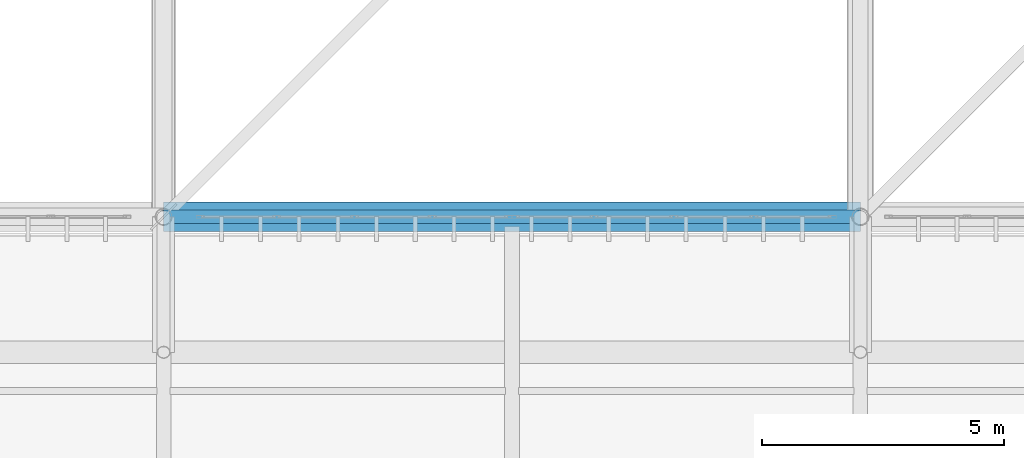
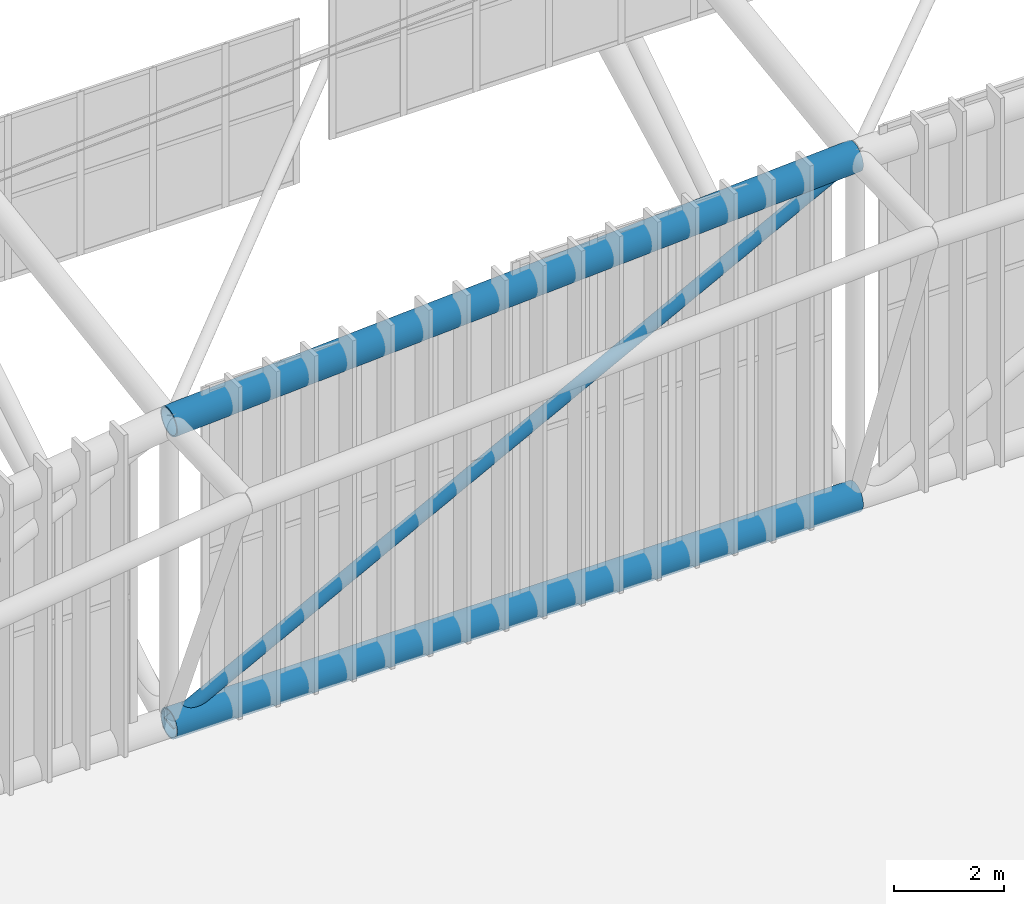
# One storey, part 25 of 397: 2 beams, 1 member.
"""IFC4 building model written with IfcOpenShell, lengths in metres."""

from ifc_helpers import new_model, si_unit, direction, frame, origin, origin_2d, place, context, subcontext, project, spatial, hollow_circle, extrude, material, material_profile, profile_set, type_object, element, save


model = new_model("IFC4")

# Units and contexts
model_context = context("Model", 3, precision=1e-05, world=origin(), true_north=direction((0.0, 1.0)))
body_context = subcontext(model_context, "Body", "Model", "MODEL_VIEW")
ifc_project = project(units=[si_unit("LENGTHUNIT", "METRE"), si_unit("AREAUNIT", "SQUARE_METRE"), si_unit("VOLUMEUNIT", "CUBIC_METRE"), si_unit("PLANEANGLEUNIT", "RADIAN"), si_unit("MASSUNIT", "GRAM", prefix="KILO")], contexts=[model_context])

# Site, building, storey
site_placement = place(None, origin())
site = spatial("IfcSite", under=ifc_project, at=site_placement, CompositionType="ELEMENT")
building_placement = place(site_placement, origin())
building = spatial("IfcBuilding", under=site, at=building_placement, Name="Qandorah Velis Arena", CompositionType="ELEMENT")
storey_placement = place(building_placement, frame((0.0, 0.0, 27.5)))
storey = spatial("IfcBuildingStorey", under=building, at=storey_placement, Name="RF", CompositionType="ELEMENT", Elevation=27.5)

# Beams
ifc_material_1 = material(Name="Steel S460", Category="steel")
ifc_material_profile_1 = material_profile(ifc_material_1, hollow_circle(Radius=0.304931640625, WallThickness=0.02490234375, at=origin_2d()), Name="CHS 610x25")
ifc_profile_set_1 = profile_set([ifc_material_profile_1], Name="Steel S460")
beam_type_1 = type_object("IfcBeamType", Name="STR-SFC-CHS610X25", PredefinedType="USERDEFINED", material=ifc_profile_set_1)
beam_1_placement = place(storey_placement, frame((43.199951171875, 14.39990234375, 0.10009765625), z_axis=(1.0, 0.0, 0.0), x_axis=(0.0, 1.0, 0.0)))
element("IfcBeam", 1, at=beam_1_placement, inside=storey, type_object=beam_type_1, Name="Space frame roof truss bottom chord X 2.0", ObjectType="ROOF TRUSS", PredefinedType="USERDEFINED", context=body_context, shape_type="SweptSolid", body=[
    extrude(hollow_circle(Radius=0.304931640625, WallThickness=0.02490234375, at=origin_2d()), origin(), (0.0, 0.0, 1.0), 14.400146484375),
])
ifc_material_profile_2 = material_profile(ifc_material_1, hollow_circle(Radius=0.304931640625, WallThickness=0.031982421875, at=origin_2d()), Name="CHS 610x32")
ifc_profile_set_2 = profile_set([ifc_material_profile_2], Name="Steel S460")
beam_type_2 = type_object("IfcBeamType", Name="STR-SFC-CHS610X32", PredefinedType="USERDEFINED", material=ifc_profile_set_2)
beam_2_placement = place(storey_placement, frame((43.199951171875, 14.39990234375, 6.79931640625), z_axis=(0.998236054486, 0.0, 0.059369853672), x_axis=(0.0, 1.0, 0.0)))
element("IfcBeam", 2, at=beam_2_placement, inside=storey, type_object=beam_type_2, Name="Space frame roof truss top chord X 2.0", ObjectType="ROOF TRUSS", PredefinedType="USERDEFINED", context=body_context, shape_type="SweptSolid", body=[
    extrude(hollow_circle(Radius=0.304931640625, WallThickness=0.031982421875, at=origin_2d()), origin(), (0.0, 0.0, 1.0), 14.425537109375),
])

# Member
ifc_material_2 = material(Name="Steel S355", Category="steel")
ifc_material_profile_3 = material_profile(ifc_material_2, hollow_circle(Radius=0.136474609375, WallThickness=0.012451171875, at=origin_2d()), Name="CHS 273x12.5")
ifc_profile_set_3 = profile_set([ifc_material_profile_3], Name="Steel S355")
member_type = type_object("IfcMemberType", Name="STR-SFD-CHS273X12", PredefinedType="STRUT", material=ifc_profile_set_3)
member_placement = place(storey_placement, frame((43.199951171875, 14.39990234375, 0.10009765625), z_axis=(0.885509558717, 0.0, 0.464621159032), x_axis=(0.0, 1.0, 0.0)))
element("IfcMember", 3, at=member_placement, inside=storey, type_object=member_type, Name="Space frame roof diagonal X 2.0", PredefinedType="STRUT", context=body_context, shape_type="SweptSolid", body=[
    extrude(hollow_circle(Radius=0.136474609375, WallThickness=0.012451171875, at=origin_2d()), origin(), (0.0, 0.0, 1.0), 16.261962890625),
])

save(model, "model.ifc")
